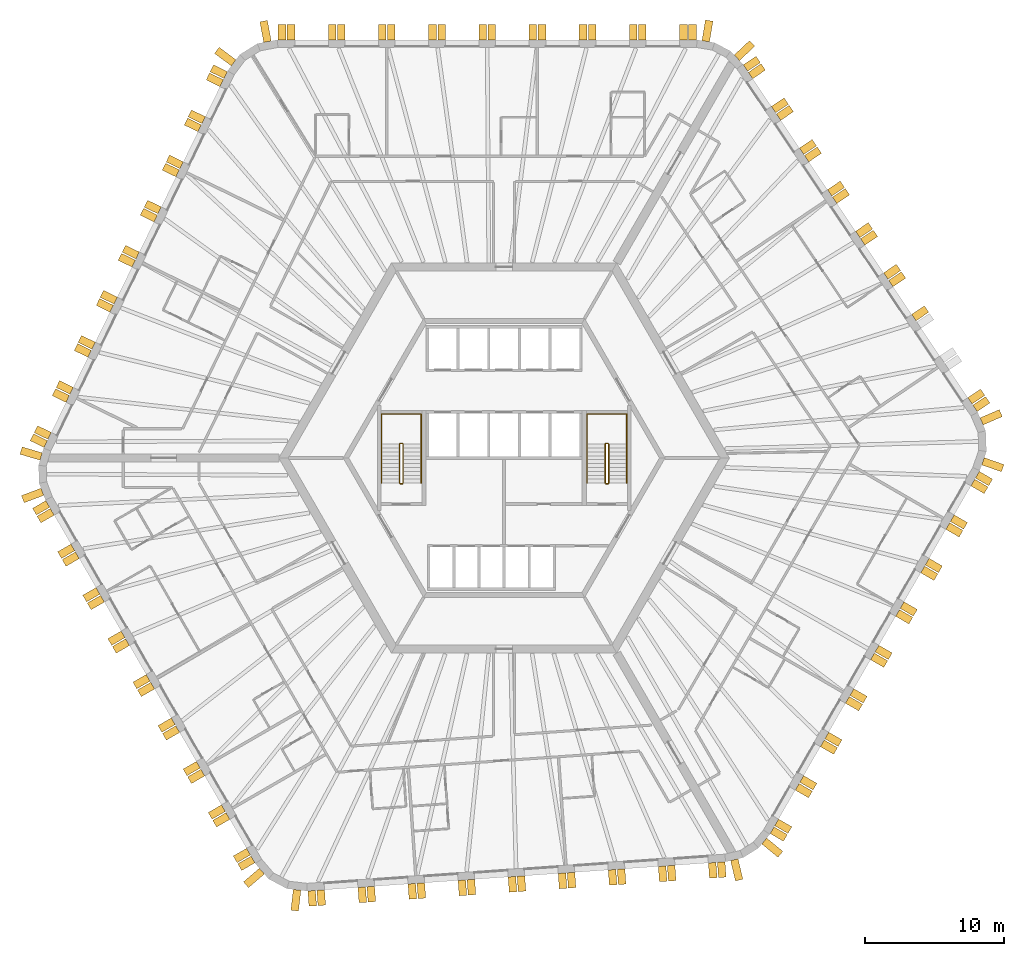
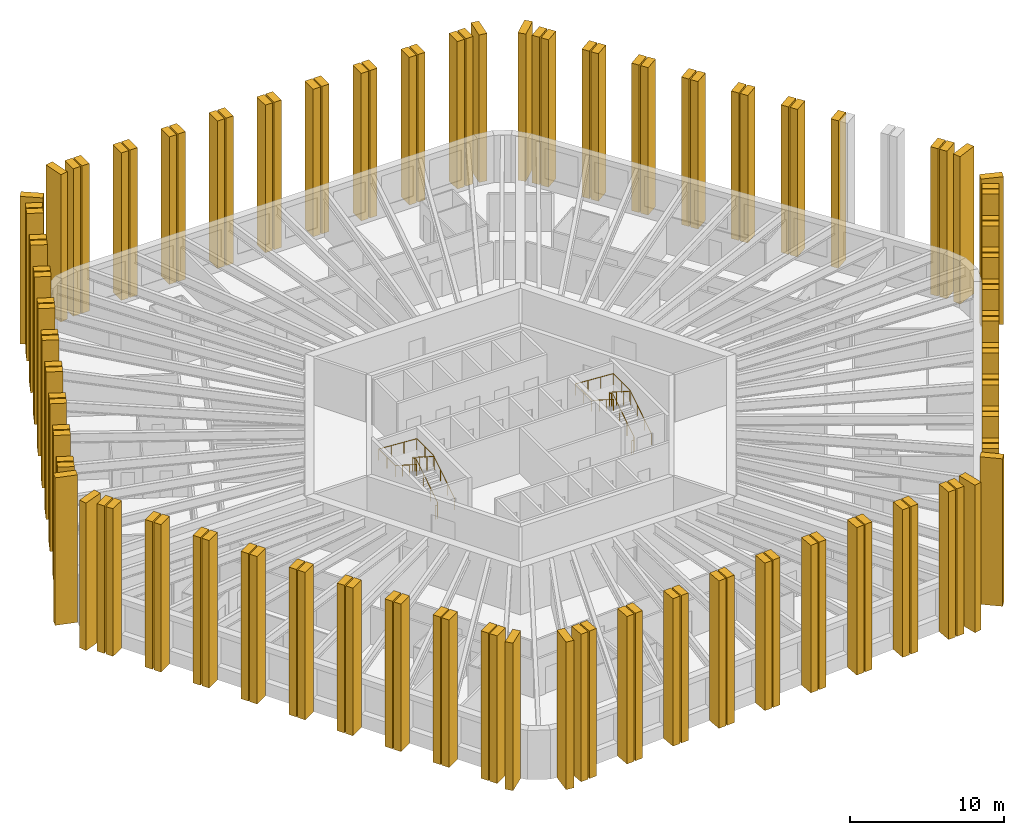
# One storey, part 12 of 13: 117 shading devices, 4 railings.
"""IFC4 building model written with IfcOpenShell, lengths in metres."""

from ifc_helpers import new_model, si_unit, direction, frame, origin, origin_2d, place, context, subcontext, project, spatial, polyline, circle, outline, extrude, material, layer, layer_set, type_object, element, save


model = new_model("IFC4")

# Units and contexts
model_context = context("Model", 3, precision=1e-05, world=origin(), true_north=direction((0.0, 1.0)))
body_context = subcontext(model_context, "Body", "Model", "MODEL_VIEW")
ifc_project = project(units=[si_unit("LENGTHUNIT", "METRE"), si_unit("AREAUNIT", "SQUARE_METRE"), si_unit("VOLUMEUNIT", "CUBIC_METRE"), si_unit("PLANEANGLEUNIT", "RADIAN"), si_unit("MASSUNIT", "GRAM", prefix="KILO")], contexts=[model_context])

# Site, building, storey
site_placement = place(None, origin())
site = spatial("IfcSite", under=ifc_project, at=site_placement, CompositionType="ELEMENT")
building_placement = place(site_placement, origin())
building = spatial("IfcBuilding", under=site, at=building_placement, Name="Tarnside Tower", CompositionType="ELEMENT")
storey_placement = place(building_placement, frame((0.0, 0.0, 80.39990234375)))
storey = spatial("IfcBuildingStorey", under=building, at=storey_placement, Name="L17", CompositionType="ELEMENT", Elevation=80.39990234375)

# Shading devices
ifc_material_1 = material(Name="Concrete C50/60 white precast", Category="concrete")
ifc_layer_1 = layer(ifc_material_1, 0.550048828125)
ifc_layer_set_1 = layer_set([ifc_layer_1], Name="Precast fin 550 x 1100")
shading_device_type_1 = type_object("IfcShadingDeviceType", Name="Precast fin 550 x 1100", PredefinedType="USERDEFINED", material=ifc_layer_set_1)
for number, where, z_axis, x_axis, name in (
    (1, (13.513916015625, 30.0, -0.14990234375), (1.0, 0.0, 0.0), (0.0, 1.0, 0.0), "Precast fin"),
    (2, (12.864013671875, 30.0, -0.14990234375), (1.0, 0.0, 0.0), (0.0, 1.0, 0.0), "Precast fin"),
    (3, (9.9140625, 30.0, -0.14990234375), (1.0, 0.0, 0.0), (0.0, 1.0, 0.0), "Precast fin"),
    (4, (9.263916015625, 30.0, -0.14990234375), (1.0, 0.0, 0.0), (0.0, 1.0, 0.0), "Precast fin"),
    (5, (6.31396484375, 30.0, -0.14990234375), (1.0, 0.0, 0.0), (0.0, 1.0, 0.0), "Precast fin"),
    (6, (5.6640625, 30.0, -0.14990234375), (1.0, 0.0, 0.0), (0.0, 1.0, 0.0), "Precast fin"),
    (7, (2.7138671875, 30.0, -0.14990234375), (1.0, 0.0, 0.0), (0.0, 1.0, 0.0), "Precast fin"),
    (8, (2.06396484375, 30.0, -0.14990234375), (1.0, 0.0, 0.0), (0.0, 1.0, 0.0), "Precast fin"),
    (9, (-0.885986328125, 30.0, -0.14990234375), (1.0, 0.0, 0.0), (0.0, 1.0, 0.0), "Precast fin"),
    (10, (-1.5361328125, 30.0, -0.14990234375), (1.0, 0.0, 0.0), (0.0, 1.0, 0.0), "Precast fin"),
    (11, (-4.486083984375, 30.0, -0.14990234375), (1.0, 0.0, 0.0), (0.0, 1.0, 0.0), "Precast fin"),
    (12, (-5.135986328125, 30.0, -0.14990234375), (1.0, 0.0, 0.0), (0.0, 1.0, 0.0), "Precast fin"),
    (13, (-8.0859375, 30.0, -0.14990234375), (1.0, 0.0, 0.0), (0.0, 1.0, 0.0), "Precast fin"),
    (14, (-8.736083984375, 30.0, -0.14990234375), (1.0, 0.0, 0.0), (0.0, 1.0, 0.0), "Precast fin"),
    (15, (-11.68603515625, 30.0, -0.14990234375), (1.0, 0.0, 0.0), (0.0, 1.0, 0.0), "Precast fin"),
    (16, (-12.3359375, 30.0, -0.14990234375), (1.0, 0.0, 0.0), (0.0, 1.0, 0.0), "Precast fin"),
    (17, (-15.2861328125, 30.0, -0.14990234375), (1.0, 0.0, 0.0), (0.0, 1.0, 0.0), "Precast fin"),
    (18, (-15.93603515625, 30.0, -0.14990234375), (1.0, 0.0, 0.0), (0.0, 1.0, 0.0), "Precast fin"),
    (19, (-19.977783203125, 27.474365234375, -0.14990234375), (0.438371146789, 0.898794046299, 0.0), (-0.898794046299, 0.438371146789, 0.0), "Precast fin"),
    (20, (-20.262939453125, 26.89013671875, -0.14990234375), (0.438371146789, 0.898794046299, 0.0), (-0.898794046299, 0.438371146789, 0.0), "Precast fin"),
    (21, (-21.555908203125, 24.23876953125, -0.14990234375), (0.438371146789, 0.898794046299, 0.0), (-0.898794046299, 0.438371146789, 0.0), "Precast fin"),
    (22, (-21.841064453125, 23.654541015625, -0.14990234375), (0.438371146789, 0.898794046299, 0.0), (-0.898794046299, 0.438371146789, 0.0), "Precast fin"),
    (23, (-23.13427734375, 21.003173828125, -0.14990234375), (0.438371146789, 0.898794046299, 0.0), (-0.898794046299, 0.438371146789, 0.0), "Precast fin"),
    (24, (-23.419189453125, 20.4189453125, -0.14990234375), (0.438371146789, 0.898794046299, 0.0), (-0.898794046299, 0.438371146789, 0.0), "Precast fin"),
    (25, (-24.71240234375, 17.767333984375, -0.14990234375), (0.438371146789, 0.898794046299, 0.0), (-0.898794046299, 0.438371146789, 0.0), "Precast fin"),
    (26, (-24.997314453125, 17.18310546875, -0.14990234375), (0.438371146789, 0.898794046299, 0.0), (-0.898794046299, 0.438371146789, 0.0), "Precast fin"),
    (27, (-26.29052734375, 14.53173828125, -0.14990234375), (0.438371146789, 0.898794046299, 0.0), (-0.898794046299, 0.438371146789, 0.0), "Precast fin"),
    (28, (-26.575439453125, 13.947509765625, -0.14990234375), (0.438371146789, 0.898794046299, 0.0), (-0.898794046299, 0.438371146789, 0.0), "Precast fin"),
    (29, (-27.86865234375, 11.296142578125, -0.14990234375), (0.438371146789, 0.898794046299, 0.0), (-0.898794046299, 0.438371146789, 0.0), "Precast fin"),
    (30, (-28.153564453125, 10.7119140625, -0.14990234375), (0.438371146789, 0.898794046299, 0.0), (-0.898794046299, 0.438371146789, 0.0), "Precast fin"),
    (31, (-29.44677734375, 8.060546875, -0.14990234375), (0.438371146789, 0.898794046299, 0.0), (-0.898794046299, 0.438371146789, 0.0), "Precast fin"),
    (32, (-29.731689453125, 7.476318359375, -0.14990234375), (0.438371146789, 0.898794046299, 0.0), (-0.898794046299, 0.438371146789, 0.0), "Precast fin"),
    (33, (-31.02490234375, 4.82470703125, -0.14990234375), (0.438371146789, 0.898794046299, 0.0), (-0.898794046299, 0.438371146789, 0.0), "Precast fin"),
    (34, (-31.309814453125, 4.240478515625, -0.14990234375), (0.438371146789, 0.898794046299, 0.0), (-0.898794046299, 0.438371146789, 0.0), "Precast fin"),
    (35, (-32.60302734375, 1.589111328125, -0.14990234375), (0.438371146789, 0.898794046299, 0.0), (-0.898794046299, 0.438371146789, 0.0), "Precast fin"),
    (36, (-32.887939453125, 1.0048828125, -0.14990234375), (0.438371146789, 0.898794046299, 0.0), (-0.898794046299, 0.438371146789, 0.0), "Precast fin"),
    (37, (-32.73779296875, -3.296630859375, -0.14990234375), (-0.5, 0.866025403784, 0.0), (-0.866025403784, -0.5, 0.0), "Precast fin"),
    (38, (-32.412841796875, -3.859375, -0.14990234375), (-0.5, 0.866025403784, 0.0), (-0.866025403784, -0.5, 0.0), "Precast fin"),
    (39, (-30.937744140625, -6.414306640625, -0.14990234375), (-0.5, 0.866025403784, 0.0), (-0.866025403784, -0.5, 0.0), "Precast fin"),
    (40, (-30.61279296875, -6.977294921875, -0.14990234375), (-0.5, 0.866025403784, 0.0), (-0.866025403784, -0.5, 0.0), "Precast fin"),
    (41, (-29.1376953125, -9.531982421875, -0.14990234375), (-0.5, 0.866025403784, 0.0), (-0.866025403784, -0.5, 0.0), "Precast fin"),
    (42, (-28.812744140625, -10.094970703125, -0.14990234375), (-0.5, 0.866025403784, 0.0), (-0.866025403784, -0.5, 0.0), "Precast fin"),
    (43, (-27.337646484375, -12.649658203125, -0.14990234375), (-0.5, 0.866025403784, 0.0), (-0.866025403784, -0.5, 0.0), "Precast fin"),
    (44, (-27.0126953125, -13.212646484375, -0.14990234375), (-0.5, 0.866025403784, 0.0), (-0.866025403784, -0.5, 0.0), "Precast fin"),
    (45, (-25.537841796875, -15.767333984375, -0.14990234375), (-0.5, 0.866025403784, 0.0), (-0.866025403784, -0.5, 0.0), "Precast fin"),
    (46, (-25.212646484375, -16.330322265625, -0.14990234375), (-0.5, 0.866025403784, 0.0), (-0.866025403784, -0.5, 0.0), "Precast fin"),
    (47, (-23.73779296875, -18.885009765625, -0.14990234375), (-0.5, 0.866025403784, 0.0), (-0.866025403784, -0.5, 0.0), "Precast fin"),
    (48, (-23.412841796875, -19.447998046875, -0.14990234375), (-0.5, 0.866025403784, 0.0), (-0.866025403784, -0.5, 0.0), "Precast fin"),
    (49, (-21.937744140625, -22.002685546875, -0.14990234375), (-0.5, 0.866025403784, 0.0), (-0.866025403784, -0.5, 0.0), "Precast fin"),
    (50, (-21.61279296875, -22.565673828125, -0.14990234375), (-0.5, 0.866025403784, 0.0), (-0.866025403784, -0.5, 0.0), "Precast fin"),
    (51, (-20.1376953125, -25.120361328125, -0.14990234375), (-0.5, 0.866025403784, 0.0), (-0.866025403784, -0.5, 0.0), "Precast fin"),
    (52, (-19.812744140625, -25.683349609375, -0.14990234375), (-0.5, 0.866025403784, 0.0), (-0.866025403784, -0.5, 0.0), "Precast fin"),
    (53, (-18.337646484375, -28.238037109375, -0.14990234375), (-0.5, 0.866025403784, 0.0), (-0.866025403784, -0.5, 0.0), "Precast fin"),
    (54, (-18.0126953125, -28.801025390625, -0.14990234375), (-0.5, 0.866025403784, 0.0), (-0.866025403784, -0.5, 0.0), "Precast fin"),
    (55, (-13.8046875, -31.03857421875, -0.14990234375), (-0.99756405026, -0.069756473744, 0.0), (0.069756473744, -0.99756405026, 0.0), "Precast fin"),
    (56, (-13.15625, -30.9931640625, -0.14990234375), (-0.99756405026, -0.069756473744, 0.0), (0.069756473744, -0.99756405026, 0.0), "Precast fin"),
    (57, (-10.21337890625, -30.787353515625, -0.14990234375), (-0.99756405026, -0.069756473744, 0.0), (0.069756473744, -0.99756405026, 0.0), "Precast fin"),
    (58, (-9.56494140625, -30.7421875, -0.14990234375), (-0.99756405026, -0.069756473744, 0.0), (0.069756473744, -0.99756405026, 0.0), "Precast fin"),
    (59, (-6.6220703125, -30.536376953125, -0.14990234375), (-0.99756405026, -0.069756473744, 0.0), (0.069756473744, -0.99756405026, 0.0), "Precast fin"),
    (60, (-5.9736328125, -30.490966796875, -0.14990234375), (-0.99756405026, -0.069756473744, 0.0), (0.069756473744, -0.99756405026, 0.0), "Precast fin"),
    (61, (-3.031005859375, -30.28515625, -0.14990234375), (-0.99756405026, -0.069756473744, 0.0), (0.069756473744, -0.99756405026, 0.0), "Precast fin"),
    (62, (-2.382568359375, -30.23974609375, -0.14990234375), (-0.99756405026, -0.069756473744, 0.0), (0.069756473744, -0.99756405026, 0.0), "Precast fin"),
    (63, (0.560302734375, -30.0341796875, -0.14990234375), (-0.99756405026, -0.069756473744, 0.0), (0.069756473744, -0.99756405026, 0.0), "Precast fin"),
    (64, (1.208740234375, -29.98876953125, -0.14990234375), (-0.99756405026, -0.069756473744, 0.0), (0.069756473744, -0.99756405026, 0.0), "Precast fin"),
    (65, (4.151611328125, -29.782958984375, -0.14990234375), (-0.99756405026, -0.069756473744, 0.0), (0.069756473744, -0.99756405026, 0.0), "Precast fin"),
    (66, (4.800048828125, -29.737548828125, -0.14990234375), (-0.99756405026, -0.069756473744, 0.0), (0.069756473744, -0.99756405026, 0.0), "Precast fin"),
    (67, (7.74267578125, -29.53173828125, -0.14990234375), (-0.99756405026, -0.069756473744, 0.0), (0.069756473744, -0.99756405026, 0.0), "Precast fin"),
    (68, (8.39111328125, -29.486572265625, -0.14990234375), (-0.99756405026, -0.069756473744, 0.0), (0.069756473744, -0.99756405026, 0.0), "Precast fin"),
    (69, (11.333984375, -29.28076171875, -0.14990234375), (-0.99756405026, -0.069756473744, 0.0), (0.069756473744, -0.99756405026, 0.0), "Precast fin"),
    (70, (11.982421875, -29.2353515625, -0.14990234375), (-0.99756405026, -0.069756473744, 0.0), (0.069756473744, -0.99756405026, 0.0), "Precast fin"),
    (71, (14.92529296875, -29.029541015625, -0.14990234375), (-0.99756405026, -0.069756473744, 0.0), (0.069756473744, -0.99756405026, 0.0), "Precast fin"),
    (72, (15.57373046875, -28.984130859375, -0.14990234375), (-0.99756405026, -0.069756473744, 0.0), (0.069756473744, -0.99756405026, 0.0), "Precast fin"),
    (73, (19.223876953125, -26.703369140625, -0.14990234375), (-0.5, -0.866025403784, 0.0), (0.866025403784, -0.5, 0.0), "Precast fin"),
    (74, (19.548828125, -26.140625, -0.14990234375), (-0.5, -0.866025403784, 0.0), (0.866025403784, -0.5, 0.0), "Precast fin"),
    (75, (21.023681640625, -23.585693359375, -0.14990234375), (-0.5, -0.866025403784, 0.0), (0.866025403784, -0.5, 0.0), "Precast fin"),
    (76, (21.348876953125, -23.022705078125, -0.14990234375), (-0.5, -0.866025403784, 0.0), (0.866025403784, -0.5, 0.0), "Precast fin"),
    (77, (22.82373046875, -20.468017578125, -0.14990234375), (-0.5, -0.866025403784, 0.0), (0.866025403784, -0.5, 0.0), "Precast fin"),
    (78, (23.148681640625, -19.905029296875, -0.14990234375), (-0.5, -0.866025403784, 0.0), (0.866025403784, -0.5, 0.0), "Precast fin"),
    (79, (24.623779296875, -17.350341796875, -0.14990234375), (-0.5, -0.866025403784, 0.0), (0.866025403784, -0.5, 0.0), "Precast fin"),
    (80, (24.94873046875, -16.787353515625, -0.14990234375), (-0.5, -0.866025403784, 0.0), (0.866025403784, -0.5, 0.0), "Precast fin"),
    (81, (26.423828125, -14.232666015625, -0.14990234375), (-0.5, -0.866025403784, 0.0), (0.866025403784, -0.5, 0.0), "Precast fin"),
    (82, (26.748779296875, -13.669677734375, -0.14990234375), (-0.5, -0.866025403784, 0.0), (0.866025403784, -0.5, 0.0), "Precast fin"),
    (83, (28.223876953125, -11.114990234375, -0.14990234375), (-0.5, -0.866025403784, 0.0), (0.866025403784, -0.5, 0.0), "Precast fin"),
    (84, (28.548828125, -10.552001953125, -0.14990234375), (-0.5, -0.866025403784, 0.0), (0.866025403784, -0.5, 0.0), "Precast fin"),
    (85, (30.023681640625, -7.997314453125, -0.14990234375), (-0.5, -0.866025403784, 0.0), (0.866025403784, -0.5, 0.0), "Precast fin"),
    (86, (30.348876953125, -7.434326171875, -0.14990234375), (-0.5, -0.866025403784, 0.0), (0.866025403784, -0.5, 0.0), "Precast fin"),
    (87, (31.82373046875, -4.879638671875, -0.14990234375), (-0.5, -0.866025403784, 0.0), (0.866025403784, -0.5, 0.0), "Precast fin"),
    (88, (32.148681640625, -4.316650390625, -0.14990234375), (-0.5, -0.866025403784, 0.0), (0.866025403784, -0.5, 0.0), "Precast fin"),
    (89, (33.623779296875, -1.761962890625, -0.14990234375), (-0.5, -0.866025403784, 0.0), (0.866025403784, -0.5, 0.0), "Precast fin"),
    (90, (33.94873046875, -1.198974609375, -0.14990234375), (-0.5, -0.866025403784, 0.0), (0.866025403784, -0.5, 0.0), "Precast fin"),
    (91, (33.782470703125, 3.564208984375, -0.14990234375), (0.559192903471, -0.829037572555, 0.0), (0.829037572555, 0.559192903471, 0.0), "Precast fin"),
    (92, (33.4189453125, 4.10302734375, -0.14990234375), (0.559192903471, -0.829037572555, 0.0), (0.829037572555, 0.559192903471, 0.0), "Precast fin"),
    (93, (29.392822265625, 10.072021484375, -0.14990234375), (0.559192903471, -0.829037572555, 0.0), (0.829037572555, 0.559192903471, 0.0), "Precast fin"),
    (94, (27.7431640625, 12.517822265625, -0.14990234375), (0.559192903471, -0.829037572555, 0.0), (0.829037572555, 0.559192903471, 0.0), "Precast fin"),
    (95, (27.379638671875, 13.056640625, -0.14990234375), (0.559192903471, -0.829037572555, 0.0), (0.829037572555, 0.559192903471, 0.0), "Precast fin"),
    (96, (25.730224609375, 15.502197265625, -0.14990234375), (0.559192903471, -0.829037572555, 0.0), (0.829037572555, 0.559192903471, 0.0), "Precast fin"),
    (97, (25.36669921875, 16.041259765625, -0.14990234375), (0.559192903471, -0.829037572555, 0.0), (0.829037572555, 0.559192903471, 0.0), "Precast fin"),
    (98, (23.717041015625, 18.48681640625, -0.14990234375), (0.559192903471, -0.829037572555, 0.0), (0.829037572555, 0.559192903471, 0.0), "Precast fin"),
    (99, (23.353515625, 19.025634765625, -0.14990234375), (0.559192903471, -0.829037572555, 0.0), (0.829037572555, 0.559192903471, 0.0), "Precast fin"),
    (100, (21.703857421875, 21.471435546875, -0.14990234375), (0.559192903471, -0.829037572555, 0.0), (0.829037572555, 0.559192903471, 0.0), "Precast fin"),
    (101, (21.34033203125, 22.01025390625, -0.14990234375), (0.559192903471, -0.829037572555, 0.0), (0.829037572555, 0.559192903471, 0.0), "Precast fin"),
    (102, (19.69091796875, 24.455810546875, -0.14990234375), (0.559192903471, -0.829037572555, 0.0), (0.829037572555, 0.559192903471, 0.0), "Precast fin"),
    (103, (19.327392578125, 24.994873046875, -0.14990234375), (0.559192903471, -0.829037572555, 0.0), (0.829037572555, 0.559192903471, 0.0), "Precast fin"),
    (104, (17.677734375, 27.4404296875, -0.14990234375), (0.559192903471, -0.829037572555, 0.0), (0.829037572555, 0.559192903471, 0.0), "Precast fin"),
    (105, (17.314208984375, 27.979248046875, -0.14990234375), (0.559192903471, -0.829037572555, 0.0), (0.829037572555, 0.559192903471, 0.0), "Precast fin"),
):
    element("IfcShadingDevice", number, at=place(storey_placement, frame(where, z_axis=z_axis, x_axis=x_axis)), inside=storey, type_object=shading_device_type_1, Name=name, ObjectType="FIN", PredefinedType="USERDEFINED", context=body_context, shape_type="SweptSolid", body=[
        extrude(outline(polyline([(0.0, 0.0), (1.10009765625, 0.0), (1.10009765625, 11.699951171875), (0.0, 11.699951171875), (0.0, 0.0)])), frame((0.0, 0.0, -0.27490234375)), (0.0, 0.0, 1.0), 0.550048828125),
    ])
ifc_layer_2 = layer(ifc_material_1, 0.550048828125)
ifc_layer_set_2 = layer_set([ifc_layer_2], Name="Precast fin 550 x 1500")
shading_device_type_2 = type_object("IfcShadingDeviceType", Name="Precast fin 550 x 1500", PredefinedType="USERDEFINED", material=ifc_layer_set_2)
for number, where, z_axis, x_axis, name in (
    (106, (-16.97509765625, 29.86767578125, -0.14990234375), (0.982720646705, 0.18509492305, 0.0), (-0.18509492305, 0.982720646705, 0.0), "Precast fin"),
    (107, (-19.403564453125, 28.35009765625, -0.14990234375), (0.597158591707, 0.802123192752, 0.0), (-0.802123192752, 0.597158591707, 0.0), "Precast fin"),
    (108, (-33.213623046875, 0.10546875, -0.14990234375), (0.286803232717, 0.957989512314, 0.0), (-0.957989512314, 0.286803232717, 0.0), "Precast fin"),
    (109, (-33.125244140625, -2.422119140625, -0.14990234375), (-0.352930564719, 0.935649515837, 0.0), (-0.935649515837, -0.352930564719, 0.0), "Precast fin"),
    (110, (-17.378662109375, -29.634765625, -0.14990234375), (-0.651657228826, 0.758513583345, 0.0), (-0.758513583345, -0.651657228826, 0.0), "Precast fin"),
    (111, (-14.850341796875, -30.97900390625, -0.14990234375), (-0.993238357741, 0.116092914131, 0.0), (-0.116092914131, -0.993238357741, 0.0), "Precast fin"),
    (112, (16.515625, -28.81640625, -0.14990234375), (-0.973044870581, -0.230615870737, 0.0), (0.230615870737, -0.973044870581, 0.0), "Precast fin"),
    (113, (18.66015625, -27.476318359375, -0.14990234375), (-0.633830967394, -0.773471592738, 0.0), (0.773471592738, -0.633830967394, 0.0), "Precast fin"),
    (114, (34.353759765625, -0.23291015625, -0.14990234375), (-0.331063417879, -0.943608506396, 0.0), (0.943608506396, -0.331063417879, 0.0), "Precast fin"),
    (115, (34.253662109375, 2.62890625, -0.14990234375), (0.396079766034, -0.918216106883, 0.0), (0.918216106883, 0.396079766034, 0.0), "Precast fin"),
    (116, (16.697998046875, 28.711181640625, -0.14990234375), (0.686241637865, -0.727373641577, 0.0), (0.727373641577, 0.686241637865, 0.0), "Precast fin"),
    (117, (14.465087890625, 29.8984375, -0.14990234375), (0.986761532114, -0.1621779231, 0.0), (0.1621779231, 0.986761532114, 0.0), "Precast fin"),
):
    element("IfcShadingDevice", number, at=place(storey_placement, frame(where, z_axis=z_axis, x_axis=x_axis)), inside=storey, type_object=shading_device_type_2, Name=name, ObjectType="FIN", PredefinedType="USERDEFINED", context=body_context, shape_type="SweptSolid", body=[
        extrude(outline(polyline([(0.0, 0.0), (1.5, 0.0), (1.5, 11.699951171875), (0.0, 11.699951171875), (0.0, 0.0)])), frame((0.0, 0.0, -0.27490234375)), (0.0, 0.0, 1.0), 0.550048828125),
    ])

# Railings
ifc_material_2 = material(Name="Stainless steel", Category="steel")
railing_type_1 = type_object("IfcRailingType", Name="Stair guard 1100", PredefinedType="GUARDRAIL", material=ifc_material_2)
railing_1_placement = place(storey_placement, frame((7.300048828125, -1.85009765625, 0.0)))
element("IfcRailing", 118, at=railing_1_placement, inside=storey, type_object=railing_type_1, Name="L17 ST1 stair guard 1", PredefinedType="GUARDRAIL", context=body_context, shape_type="SweptSolid", body=[
    extrude(circle(Radius=0.02392578125, at=origin_2d()), frame((0.0, 0.0, 1.076171875), z_axis=(1.0, 0.0, 0.0), x_axis=(0.0, 1.0, 0.0)), (0.0, 0.0, 1.0), 0.14990234375),
    extrude(circle(Radius=0.02392578125, at=origin_2d()), frame((0.14990234375, 0.0, 1.076171875), z_axis=(0.261922500866, 0.261922500866, 0.928866625022), x_axis=(-0.707106781187, 0.707106781187, 0.0)), (0.0, 0.0, 1.0), 0.191162109375),
    extrude(circle(Radius=0.02392578125, at=origin_2d()), frame((0.199951171875, 0.050048828125, 1.25341796875), z_axis=(0.0, 0.844908973607, 0.534910110503), x_axis=(-1.0, 0.0, 0.0)), (0.0, 0.0, 1.0), 3.31396484375),
    extrude(circle(Radius=0.02392578125, at=origin_2d()), frame((0.199951171875, 2.85009765625, 3.0263671875), z_axis=(-0.707106781187, 0.707106781187, 0.0), x_axis=(-0.707106781187, -0.707106781187, 0.0)), (0.0, 0.0, 1.0), 0.07080078125),
    extrude(circle(Radius=0.02392578125, at=origin_2d()), frame((0.14990234375, 2.900146484375, 3.0263671875), z_axis=(-1.0, 0.0, 0.0), x_axis=(0.0, -1.0, 0.0)), (0.0, 0.0, 1.0), 0.14990234375),
    extrude(circle(Radius=0.02392578125, at=origin_2d()), frame((0.0, 2.900146484375, 3.0263671875), z_axis=(-0.262233686654, -0.262233686654, 0.928691007369), x_axis=(0.707106781187, -0.707106781187, 0.0)), (0.0, 0.0, 1.0), 0.19091796875),
    extrude(circle(Radius=0.02392578125, at=origin_2d()), frame((-0.050048828125, 2.85009765625, 3.20361328125), z_axis=(0.0, -0.844908973607, 0.534910110503), x_axis=(1.0, 0.0, 0.0)), (0.0, 0.0, 1.0), 3.31396484375),
    extrude(circle(Radius=0.02099609375, at=origin_2d()), origin(), (0.0, 0.0, 1.0), 1.052001953125),
    extrude(circle(Radius=0.02099609375, at=origin_2d()), frame((0.14990234375, 0.0, 0.0)), (0.0, 0.0, 1.0), 1.052001953125),
    extrude(circle(Radius=0.02099609375, at=origin_2d()), frame((0.199951171875, 0.050048828125, 0.177490234375)), (0.0, 0.0, 1.0), 1.052001953125),
    extrude(circle(Radius=0.02099609375, at=origin_2d()), frame((0.199951171875, 0.9833984375, 0.768310546875)), (0.0, 0.0, 1.0), 1.052001953125),
    extrude(circle(Radius=0.02099609375, at=origin_2d()), frame((0.199951171875, 1.916748046875, 1.359375)), (0.0, 0.0, 1.0), 1.052001953125),
    extrude(circle(Radius=0.02099609375, at=origin_2d()), frame((0.199951171875, 2.85009765625, 1.9501953125)), (0.0, 0.0, 1.0), 1.052001953125),
    extrude(circle(Radius=0.02099609375, at=origin_2d()), frame((0.14990234375, 2.900146484375, 1.9501953125)), (0.0, 0.0, 1.0), 1.052001953125),
    extrude(circle(Radius=0.02099609375, at=origin_2d()), frame((0.0, 2.900146484375, 1.9501953125)), (0.0, 0.0, 1.0), 1.052001953125),
    extrude(circle(Radius=0.02099609375, at=origin_2d()), frame((-0.050048828125, 2.85009765625, 2.12744140625)), (0.0, 0.0, 1.0), 1.052001953125),
    extrude(circle(Radius=0.02099609375, at=origin_2d()), frame((-0.050048828125, 1.916748046875, 2.71826171875)), (0.0, 0.0, 1.0), 1.052001953125),
    extrude(circle(Radius=0.02099609375, at=origin_2d()), frame((-0.050048828125, 0.9833984375, 3.309326171875)), (0.0, 0.0, 1.0), 1.052001953125),
    extrude(circle(Radius=0.02099609375, at=origin_2d()), frame((-0.050048828125, 0.050048828125, 3.900146484375)), (0.0, 0.0, 1.0), 1.052001953125),
])
railing_2_placement = place(storey_placement, frame((-7.449951171875, -1.85009765625, 0.0)))
element("IfcRailing", 119, at=railing_2_placement, inside=storey, type_object=railing_type_1, Name="L17 ST2 stair guard 1", PredefinedType="GUARDRAIL", context=body_context, shape_type="SweptSolid", body=[
    extrude(circle(Radius=0.02392578125, at=origin_2d()), frame((0.0, 0.0, 1.076171875), z_axis=(1.0, 0.0, 0.0), x_axis=(0.0, 1.0, 0.0)), (0.0, 0.0, 1.0), 0.14990234375),
    extrude(circle(Radius=0.02392578125, at=origin_2d()), frame((0.14990234375, 0.0, 1.076171875), z_axis=(0.261922500866, 0.261922500866, 0.928866625022), x_axis=(-0.707106781187, 0.707106781187, 0.0)), (0.0, 0.0, 1.0), 0.191162109375),
    extrude(circle(Radius=0.02392578125, at=origin_2d()), frame((0.199951171875, 0.050048828125, 1.25341796875), z_axis=(0.0, 0.844908973607, 0.534910110503), x_axis=(-1.0, 0.0, 0.0)), (0.0, 0.0, 1.0), 3.31396484375),
    extrude(circle(Radius=0.02392578125, at=origin_2d()), frame((0.199951171875, 2.85009765625, 3.0263671875), z_axis=(-0.707106781187, 0.707106781187, 0.0), x_axis=(-0.707106781187, -0.707106781187, 0.0)), (0.0, 0.0, 1.0), 0.07080078125),
    extrude(circle(Radius=0.02392578125, at=origin_2d()), frame((0.14990234375, 2.900146484375, 3.0263671875), z_axis=(-1.0, 0.0, 0.0), x_axis=(0.0, -1.0, 0.0)), (0.0, 0.0, 1.0), 0.14990234375),
    extrude(circle(Radius=0.02392578125, at=origin_2d()), frame((0.0, 2.900146484375, 3.0263671875), z_axis=(-0.262233686654, -0.262233686654, 0.928691007369), x_axis=(0.707106781187, -0.707106781187, 0.0)), (0.0, 0.0, 1.0), 0.19091796875),
    extrude(circle(Radius=0.02392578125, at=origin_2d()), frame((-0.050048828125, 2.85009765625, 3.20361328125), z_axis=(0.0, -0.844908973607, 0.534910110503), x_axis=(1.0, 0.0, 0.0)), (0.0, 0.0, 1.0), 3.31396484375),
    extrude(circle(Radius=0.02099609375, at=origin_2d()), origin(), (0.0, 0.0, 1.0), 1.052001953125),
    extrude(circle(Radius=0.02099609375, at=origin_2d()), frame((0.14990234375, 0.0, 0.0)), (0.0, 0.0, 1.0), 1.052001953125),
    extrude(circle(Radius=0.02099609375, at=origin_2d()), frame((0.199951171875, 0.050048828125, 0.177490234375)), (0.0, 0.0, 1.0), 1.052001953125),
    extrude(circle(Radius=0.02099609375, at=origin_2d()), frame((0.199951171875, 0.9833984375, 0.768310546875)), (0.0, 0.0, 1.0), 1.052001953125),
    extrude(circle(Radius=0.02099609375, at=origin_2d()), frame((0.199951171875, 1.916748046875, 1.359375)), (0.0, 0.0, 1.0), 1.052001953125),
    extrude(circle(Radius=0.02099609375, at=origin_2d()), frame((0.199951171875, 2.85009765625, 1.9501953125)), (0.0, 0.0, 1.0), 1.052001953125),
    extrude(circle(Radius=0.02099609375, at=origin_2d()), frame((0.14990234375, 2.900146484375, 1.9501953125)), (0.0, 0.0, 1.0), 1.052001953125),
    extrude(circle(Radius=0.02099609375, at=origin_2d()), frame((0.0, 2.900146484375, 1.9501953125)), (0.0, 0.0, 1.0), 1.052001953125),
    extrude(circle(Radius=0.02099609375, at=origin_2d()), frame((-0.050048828125, 2.85009765625, 2.12744140625)), (0.0, 0.0, 1.0), 1.052001953125),
    extrude(circle(Radius=0.02099609375, at=origin_2d()), frame((-0.050048828125, 1.916748046875, 2.71826171875)), (0.0, 0.0, 1.0), 1.052001953125),
    extrude(circle(Radius=0.02099609375, at=origin_2d()), frame((-0.050048828125, 0.9833984375, 3.309326171875)), (0.0, 0.0, 1.0), 1.052001953125),
    extrude(circle(Radius=0.02099609375, at=origin_2d()), frame((-0.050048828125, 0.050048828125, 3.900146484375)), (0.0, 0.0, 1.0), 1.052001953125),
])
railing_type_2 = type_object("IfcRailingType", Name="Stair handrail 900", PredefinedType="HANDRAIL", material=ifc_material_2)
railing_3_placement = place(storey_placement, frame((8.800048828125, -1.800048828125, 0.177490234375)))
element("IfcRailing", 120, at=railing_3_placement, inside=storey, type_object=railing_type_2, Name="L17 ST1 stair handrail 1", PredefinedType="HANDRAIL", context=body_context, shape_type="SweptSolid", body=[
    extrude(circle(Radius=0.02392578125, at=origin_2d()), frame((0.0, 0.0, 0.8857421875), z_axis=(0.0, 0.844908973607, 0.534910110503), x_axis=(-1.0, 0.0, 0.0)), (0.0, 0.0, 1.0), 3.31396484375),
    extrude(circle(Radius=0.02392578125, at=origin_2d()), frame((0.0, 2.800048828125, 2.65869140625), z_axis=(0.0, 1.0, 0.0), x_axis=(-1.0, 0.0, 0.0)), (0.0, 0.0, 1.0), 2.14990234375),
    extrude(circle(Radius=0.02392578125, at=origin_2d()), frame((0.0, 4.949951171875, 2.65869140625), z_axis=(-0.998071825391, 0.0, 0.06206956872), x_axis=(0.0, -1.0, 0.0)), (0.0, 0.0, 1.0), 2.855712890625),
    extrude(circle(Radius=0.02392578125, at=origin_2d()), frame((-2.85009765625, 4.949951171875, 2.8359375), z_axis=(0.0, -1.0, 0.0), x_axis=(1.0, 0.0, 0.0)), (0.0, 0.0, 1.0), 2.14990234375),
    extrude(circle(Radius=0.02392578125, at=origin_2d()), frame((-2.85009765625, 2.800048828125, 2.8359375), z_axis=(0.0, -0.844908973607, 0.534910110503), x_axis=(1.0, 0.0, 0.0)), (0.0, 0.0, 1.0), 3.31396484375),
    extrude(circle(Radius=0.02099609375, at=origin_2d()), origin(), (0.0, 0.0, 1.0), 0.86181640625),
    extrude(circle(Radius=0.02099609375, at=origin_2d()), frame((0.0, 0.933349609375, 0.5908203125)), (0.0, 0.0, 1.0), 0.86181640625),
    extrude(circle(Radius=0.02099609375, at=origin_2d()), frame((0.0, 1.86669921875, 1.181884765625)), (0.0, 0.0, 1.0), 0.86181640625),
    extrude(circle(Radius=0.02099609375, at=origin_2d()), frame((0.0, 2.800048828125, 1.772705078125)), (0.0, 0.0, 1.0), 0.86181640625),
    extrude(circle(Radius=0.02099609375, at=origin_2d()), frame((0.0, 3.875, 1.772705078125)), (0.0, 0.0, 1.0), 0.86181640625),
    extrude(circle(Radius=0.02099609375, at=origin_2d()), frame((0.0, 4.949951171875, 1.772705078125)), (0.0, 0.0, 1.0), 0.86181640625),
    extrude(circle(Radius=0.02099609375, at=origin_2d()), frame((-0.949951171875, 4.949951171875, 1.831787109375)), (0.0, 0.0, 1.0), 0.86181640625),
    extrude(circle(Radius=0.02099609375, at=origin_2d()), frame((-1.900146484375, 4.949951171875, 1.890869140625)), (0.0, 0.0, 1.0), 0.86181640625),
    extrude(circle(Radius=0.02099609375, at=origin_2d()), frame((-2.85009765625, 4.949951171875, 1.949951171875)), (0.0, 0.0, 1.0), 0.86181640625),
    extrude(circle(Radius=0.02099609375, at=origin_2d()), frame((-2.85009765625, 3.875, 1.949951171875)), (0.0, 0.0, 1.0), 0.86181640625),
    extrude(circle(Radius=0.02099609375, at=origin_2d()), frame((-2.85009765625, 2.800048828125, 1.949951171875)), (0.0, 0.0, 1.0), 0.86181640625),
    extrude(circle(Radius=0.02099609375, at=origin_2d()), frame((-2.85009765625, 1.86669921875, 2.540771484375)), (0.0, 0.0, 1.0), 0.86181640625),
    extrude(circle(Radius=0.02099609375, at=origin_2d()), frame((-2.85009765625, 0.933349609375, 3.1318359375)), (0.0, 0.0, 1.0), 0.86181640625),
    extrude(circle(Radius=0.02099609375, at=origin_2d()), frame((-2.85009765625, 0.0, 3.72265625)), (0.0, 0.0, 1.0), 0.86181640625),
])
railing_4_placement = place(storey_placement, frame((-5.949951171875, -1.800048828125, 0.177490234375)))
element("IfcRailing", 121, at=railing_4_placement, inside=storey, type_object=railing_type_2, Name="L17 ST2 stair handrail 1", PredefinedType="HANDRAIL", context=body_context, shape_type="SweptSolid", body=[
    extrude(circle(Radius=0.02392578125, at=origin_2d()), frame((0.0, 0.0, 0.8857421875), z_axis=(0.0, 0.844908973607, 0.534910110503), x_axis=(-1.0, 0.0, 0.0)), (0.0, 0.0, 1.0), 3.31396484375),
    extrude(circle(Radius=0.02392578125, at=origin_2d()), frame((0.0, 2.800048828125, 2.65869140625), z_axis=(0.0, 1.0, 0.0), x_axis=(-1.0, 0.0, 0.0)), (0.0, 0.0, 1.0), 2.14990234375),
    extrude(circle(Radius=0.02392578125, at=origin_2d()), frame((0.0, 4.949951171875, 2.65869140625), z_axis=(-0.998071825391, 0.0, 0.06206956872), x_axis=(0.0, -1.0, 0.0)), (0.0, 0.0, 1.0), 2.855712890625),
    extrude(circle(Radius=0.02392578125, at=origin_2d()), frame((-2.85009765625, 4.949951171875, 2.8359375), z_axis=(0.0, -1.0, 0.0), x_axis=(1.0, 0.0, 0.0)), (0.0, 0.0, 1.0), 2.14990234375),
    extrude(circle(Radius=0.02392578125, at=origin_2d()), frame((-2.85009765625, 2.800048828125, 2.8359375), z_axis=(0.0, -0.844908973607, 0.534910110503), x_axis=(1.0, 0.0, 0.0)), (0.0, 0.0, 1.0), 3.31396484375),
    extrude(circle(Radius=0.02099609375, at=origin_2d()), origin(), (0.0, 0.0, 1.0), 0.86181640625),
    extrude(circle(Radius=0.02099609375, at=origin_2d()), frame((0.0, 0.933349609375, 0.5908203125)), (0.0, 0.0, 1.0), 0.86181640625),
    extrude(circle(Radius=0.02099609375, at=origin_2d()), frame((0.0, 1.86669921875, 1.181884765625)), (0.0, 0.0, 1.0), 0.86181640625),
    extrude(circle(Radius=0.02099609375, at=origin_2d()), frame((0.0, 2.800048828125, 1.772705078125)), (0.0, 0.0, 1.0), 0.86181640625),
    extrude(circle(Radius=0.02099609375, at=origin_2d()), frame((0.0, 3.875, 1.772705078125)), (0.0, 0.0, 1.0), 0.86181640625),
    extrude(circle(Radius=0.02099609375, at=origin_2d()), frame((0.0, 4.949951171875, 1.772705078125)), (0.0, 0.0, 1.0), 0.86181640625),
    extrude(circle(Radius=0.02099609375, at=origin_2d()), frame((-0.949951171875, 4.949951171875, 1.831787109375)), (0.0, 0.0, 1.0), 0.86181640625),
    extrude(circle(Radius=0.02099609375, at=origin_2d()), frame((-1.900146484375, 4.949951171875, 1.890869140625)), (0.0, 0.0, 1.0), 0.86181640625),
    extrude(circle(Radius=0.02099609375, at=origin_2d()), frame((-2.85009765625, 4.949951171875, 1.949951171875)), (0.0, 0.0, 1.0), 0.86181640625),
    extrude(circle(Radius=0.02099609375, at=origin_2d()), frame((-2.85009765625, 3.875, 1.949951171875)), (0.0, 0.0, 1.0), 0.86181640625),
    extrude(circle(Radius=0.02099609375, at=origin_2d()), frame((-2.85009765625, 2.800048828125, 1.949951171875)), (0.0, 0.0, 1.0), 0.86181640625),
    extrude(circle(Radius=0.02099609375, at=origin_2d()), frame((-2.85009765625, 1.86669921875, 2.540771484375)), (0.0, 0.0, 1.0), 0.86181640625),
    extrude(circle(Radius=0.02099609375, at=origin_2d()), frame((-2.85009765625, 0.933349609375, 3.1318359375)), (0.0, 0.0, 1.0), 0.86181640625),
    extrude(circle(Radius=0.02099609375, at=origin_2d()), frame((-2.85009765625, 0.0, 3.72265625)), (0.0, 0.0, 1.0), 0.86181640625),
])

save(model, "model.ifc")
